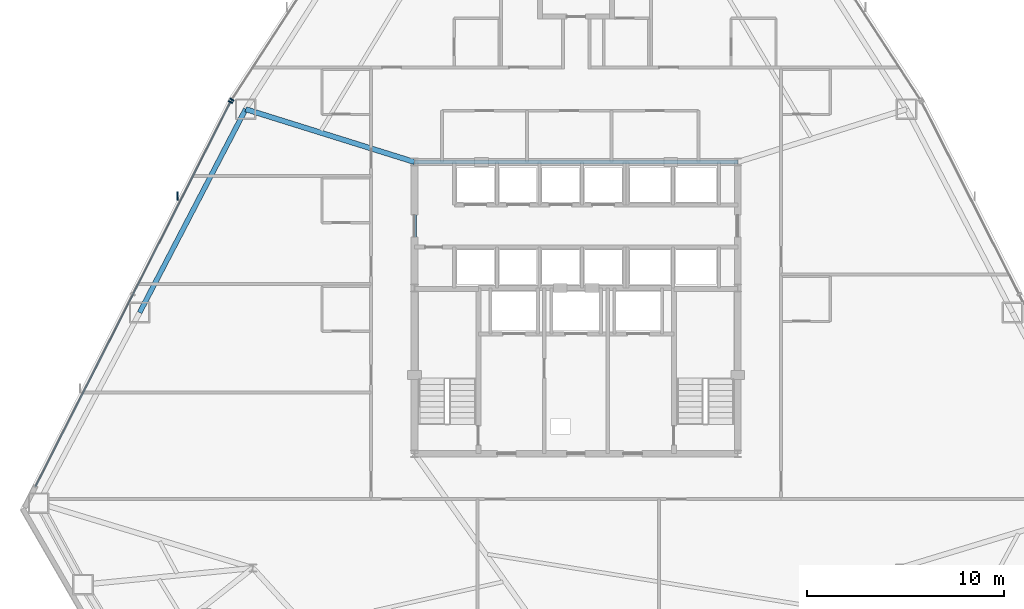
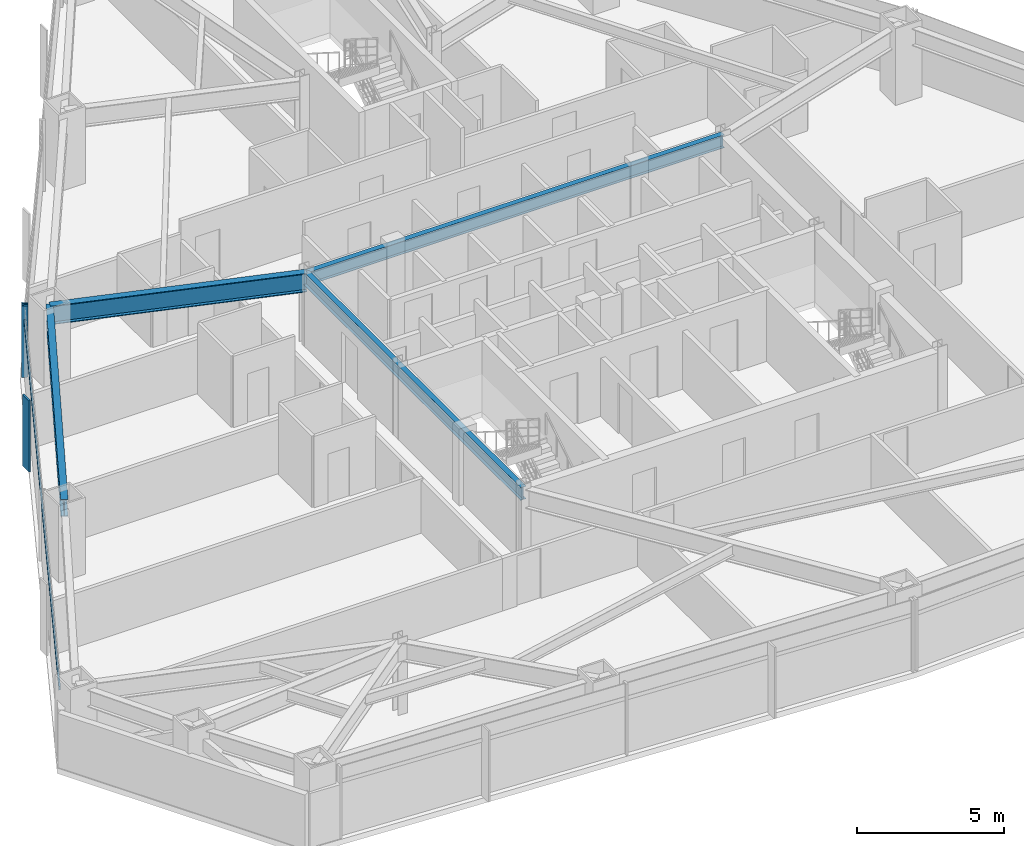
# One storey, part 5 of 12: 4 beams, 4 members, 2 elements without a shape of their own.
"""IFC4 building model written with IfcOpenShell, lengths in metres."""

from ifc_helpers import new_model, si_unit, direction, frame, origin, origin_2d, place, context, subcontext, project, spatial, rectangle, i_section, extrude, source, transform, mapped, material, layer, layer_set, material_profile, profile_set, type_object, type_shapes, element, aggregate, save


model = new_model("IFC4")

# Units and contexts
model_context = context("Model", 3, precision=1e-05, world=origin(), true_north=direction((0.0, 1.0)))
body_context = subcontext(model_context, "Body", "Model", "MODEL_VIEW")
ifc_project = project(units=[si_unit("LENGTHUNIT", "METRE"), si_unit("AREAUNIT", "SQUARE_METRE"), si_unit("VOLUMEUNIT", "CUBIC_METRE"), si_unit("PLANEANGLEUNIT", "RADIAN"), si_unit("MASSUNIT", "GRAM", prefix="KILO")], contexts=[model_context])

# Site, building, storey
site_placement = place(None, origin())
site = spatial("IfcSite", under=ifc_project, at=site_placement, CompositionType="ELEMENT")
building_placement = place(site_placement, origin())
building = spatial("IfcBuilding", under=site, at=building_placement, Name="Varakhsha Concourse Tower", CompositionType="ELEMENT")
storey_placement = place(building_placement, frame((0.0, 0.0, 79.800048828125)))
storey = spatial("IfcBuildingStorey", under=building, at=storey_placement, Name="L22", CompositionType="ELEMENT", Elevation=79.800048828125)

# Beams
ifc_material_1 = material(Name="Structural Steel ASTM A992 Grade 50", Category="steel")
ifc_material_profile_1 = material_profile(ifc_material_1, i_section(OverallWidth=0.26611328125, OverallDepth=0.779052734375, WebThickness=0.01708984375, FlangeThickness=0.030029296875, at=origin_2d()), Name="W30X148")
ifc_profile_set_1 = profile_set([ifc_material_profile_1], Name="Structural Steel ASTM A992 Grade 50")
beam_type_1 = type_object("IfcBeamType", Name="BM-BASE-W30X148", PredefinedType="USERDEFINED", material=ifc_profile_set_1)
beam_1_placement = place(storey_placement, frame((31.800048828125, 31.199951171875, 2.58056640625), z_axis=(-0.954407321853, 0.298507393532, 0.0), x_axis=(-0.298507393532, -0.954407321853, 0.0)))
element("IfcBeam", 1, at=beam_1_placement, inside=storey, type_object=beam_type_1, Name="L22 Radial Floor Girder 05", ObjectType="GIRDER", PredefinedType="USERDEFINED", context=body_context, shape_type="SweptSolid", body=[
    extrude(i_section(OverallWidth=0.26611328125, OverallDepth=0.779052734375, WebThickness=0.01708984375, FlangeThickness=0.030029296875, at=origin_2d()), origin(), (0.0, 0.0, 1.0), 8.97216796875),
])
ifc_material_profile_2 = material_profile(ifc_material_1, i_section(OverallWidth=0.2109375, OverallDepth=0.5390625, WebThickness=0.011962890625, FlangeThickness=0.01904296875, at=origin_2d()), Name="W21X73")
ifc_profile_set_2 = profile_set([ifc_material_profile_2], Name="Structural Steel ASTM A992 Grade 50")
beam_type_2 = type_object("IfcBeamType", Name="BM-RAD-W21X73", PredefinedType="BEAM", material=ifc_profile_set_2)
beam_2_placement = place(storey_placement, frame((31.800048828125, 31.199951171875, 2.700439453125), z_axis=(1.0, 0.0, 0.0), x_axis=(0.0, 1.0, 0.0)))
element("IfcBeam", 2, at=beam_2_placement, inside=storey, type_object=beam_type_2, Name="BM-TCORE-L22-CN", PredefinedType="BEAM", context=body_context, shape_type="SweptSolid", body=[
    extrude(i_section(OverallWidth=0.2109375, OverallDepth=0.5390625, WebThickness=0.011962890625, FlangeThickness=0.01904296875, at=origin_2d()), origin(), (0.0, 0.0, 1.0), 16.39990234375),
])
beam_3_placement = place(storey_placement, frame((31.800048828125, 16.39990234375, 2.700439453125), z_axis=(0.0, 1.0, 0.0), x_axis=(-1.0, 0.0, 0.0)))
element("IfcBeam", 3, at=beam_3_placement, inside=storey, type_object=beam_type_2, Name="BM-TCORE-L22-CW", PredefinedType="BEAM", context=body_context, shape_type="SweptSolid", body=[
    extrude(i_section(OverallWidth=0.2109375, OverallDepth=0.5390625, WebThickness=0.011962890625, FlangeThickness=0.01904296875, at=origin_2d()), origin(), (0.0, 0.0, 1.0), 14.800048828125),
])
ifc_material_profile_3 = material_profile(ifc_material_1, i_section(OverallWidth=0.25390625, OverallDepth=0.701904296875, WebThickness=0.014892578125, FlangeThickness=0.028076171875, at=origin_2d()), Name="W27X129")
ifc_profile_set_3 = profile_set([ifc_material_profile_3], Name="Structural Steel ASTM A992 Grade 50")
beam_type_3 = type_object("IfcBeamType", Name="BM-SPAN-W27X129", PredefinedType="SPANDREL", material=ifc_profile_set_3)
beam_4_placement = place(storey_placement, frame((23.237060546875, 33.878173828125, 2.618896484375), z_axis=(-0.46224393277, -0.886752810324, 0.0), x_axis=(0.886752810324, -0.46224393277, 0.0)))
element("IfcBeam", 4, at=beam_4_placement, inside=storey, type_object=beam_type_3, Name="BM-SPAN-L22-05", PredefinedType="SPANDREL", context=body_context, shape_type="SweptSolid", body=[
    extrude(i_section(OverallWidth=0.25390625, OverallDepth=0.701904296875, WebThickness=0.014892578125, FlangeThickness=0.028076171875, at=origin_2d()), origin(), (0.0, 0.0, 1.0), 11.6328125),
])

# Curtain wall, member
ifc_material_2 = material(Name="Anodised Bronze Architectural Aluminium AA 6063-T6", Category="aluminium")
ifc_layer = layer(ifc_material_2, 0.199951171875, Name="CW-SYS-03")
ifc_layer_set = layer_set([ifc_layer], Name="Anodised Bronze Architectural Aluminium AA 6063-T6")
curtain_wall_type = type_object("IfcCurtainWallType", Name="CW-SYS-03", PredefinedType="NOTDEFINED", material=ifc_layer_set)
curtain_wall_1_placement = place(storey_placement, origin())
curtain_wall_1 = element("IfcCurtainWall", 5, at=curtain_wall_1_placement, inside=storey, type_object=curtain_wall_type, Name="L22 Crystal Curtain Wall F3", PredefinedType="NOTDEFINED")
ifc_material_profile_4 = material_profile(ifc_material_2, rectangle(XDim=0.06494140625, YDim=0.159912109375, at=origin_2d()), Name="CWT-160X65")
ifc_profile_set_4 = profile_set([ifc_material_profile_4], Name="Anodised Bronze Architectural Aluminium AA 6063-T6")
member_type_1 = type_object("IfcMemberType", Name="CWT-160X65", PredefinedType="USERDEFINED", material=ifc_profile_set_4)
shared_shape_1 = source(origin(), body_context, "Body", "SweptSolid", [
    extrude(rectangle(XDim=0.06494140625, YDim=0.159912109375, at=origin_2d()), origin(), (0.0, 0.0, 1.0), 21.873779296875),
])
type_shapes(member_type_1, [shared_shape_1])
member_1_placement = place(storey_placement, frame((12.57421875, 14.731689453125, 2.320068359375), z_axis=(0.452269221252, 0.891881467185, 0.0), x_axis=(-0.891881467185, 0.452269221252, 0.0)))
member_1 = element("IfcMember", 6, at=member_1_placement, type_object=member_type_1, Name="CW-L22-F3 Transom 01", ObjectType="TRANSOM", PredefinedType="USERDEFINED", context=body_context, shape_type="MappedRepresentation", body=[
    mapped(shared_shape_1, transform((0.0, 0.0, 0.0), scale=1.0)),
])

curtain_wall_2_placement = place(storey_placement, origin())
curtain_wall_2 = element("IfcCurtainWall", 7, at=curtain_wall_2_placement, inside=storey, type_object=curtain_wall_type, Name="L22 Crystal Curtain Wall F2", PredefinedType="NOTDEFINED")
ifc_material_profile_5 = material_profile(ifc_material_2, rectangle(XDim=0.074951171875, YDim=0.219970703125, at=origin_2d()), Name="CWM-220X75")
ifc_profile_set_5 = profile_set([ifc_material_profile_5], Name="Anodised Bronze Architectural Aluminium AA 6063-T6")
member_type_2 = type_object("IfcMemberType", Name="CWM-220X75", PredefinedType="MULLION", material=ifc_profile_set_5)
shared_shape_2 = source(origin(), body_context, "Body", "SweptSolid", [
    extrude(rectangle(XDim=0.074951171875, YDim=0.219970703125, at=origin_2d()), origin(), (0.0, 0.0, 1.0), 2.969970703125),
])
type_shapes(member_type_2, [shared_shape_2])
member_2_placement = place(storey_placement, frame((22.538330078125, 34.36376953125, 0.0), z_axis=(0.0, 0.0, 1.0), x_axis=(0.546249624122, 0.837622437705, 0.0)))
member_2 = element("IfcMember", 8, at=member_2_placement, type_object=member_type_2, Name="CW-L22-F2 Mullion 00", PredefinedType="MULLION", context=body_context, shape_type="MappedRepresentation", body=[
    mapped(shared_shape_2, transform((0.0, 0.0, 0.0), scale=1.0)),
])
aggregate(curtain_wall_2, [member_2])

# Member
member_3_placement = place(storey_placement, frame((22.467041015625, 34.240478515625, 0.0), z_axis=(0.0, 0.0, 1.0), x_axis=(0.45227438453, 0.891878848891, 0.0)))
member_3 = element("IfcMember", 9, at=member_3_placement, type_object=member_type_2, Name="CW-L22-F3 Mullion 02", PredefinedType="MULLION", context=body_context, shape_type="MappedRepresentation", body=[
    mapped(shared_shape_2, transform((0.0, 0.0, 0.0), scale=1.0)),
])

ifc_material_profile_6 = material_profile(ifc_material_2, rectangle(XDim=0.06494140625, YDim=0.449951171875, at=origin_2d()), Name="FIN-BRZ-450")
ifc_profile_set_6 = profile_set([ifc_material_profile_6], Name="Anodised Bronze Architectural Aluminium AA 6063-T6")
member_type_3 = type_object("IfcMemberType", Name="FIN-BRZ-450", PredefinedType="USERDEFINED", material=ifc_profile_set_6)
shared_shape_3 = source(origin(), body_context, "Body", "SweptSolid", [
    extrude(rectangle(XDim=0.06494140625, YDim=0.449951171875, at=origin_2d()), origin(), (0.0, 0.0, 1.0), 2.969970703125),
])
type_shapes(member_type_3, [shared_shape_3])
member_4_placement = place(storey_placement, frame((19.77978515625, 29.4716796875, 0.0), z_axis=(0.0, 0.0, 1.0), x_axis=(1.0, 0.0, 0.0)))
member_4 = element("IfcMember", 10, at=member_4_placement, type_object=member_type_3, Name="L22 Anodised Bronze Solar Fin F3-2", ObjectType="SOLAR FIN", PredefinedType="USERDEFINED", context=body_context, shape_type="MappedRepresentation", body=[
    mapped(shared_shape_3, transform((0.0, 0.0, 0.0), scale=1.0)),
])

aggregate(curtain_wall_1, [member_3, member_1, member_4])

save(model, "model.ifc")
